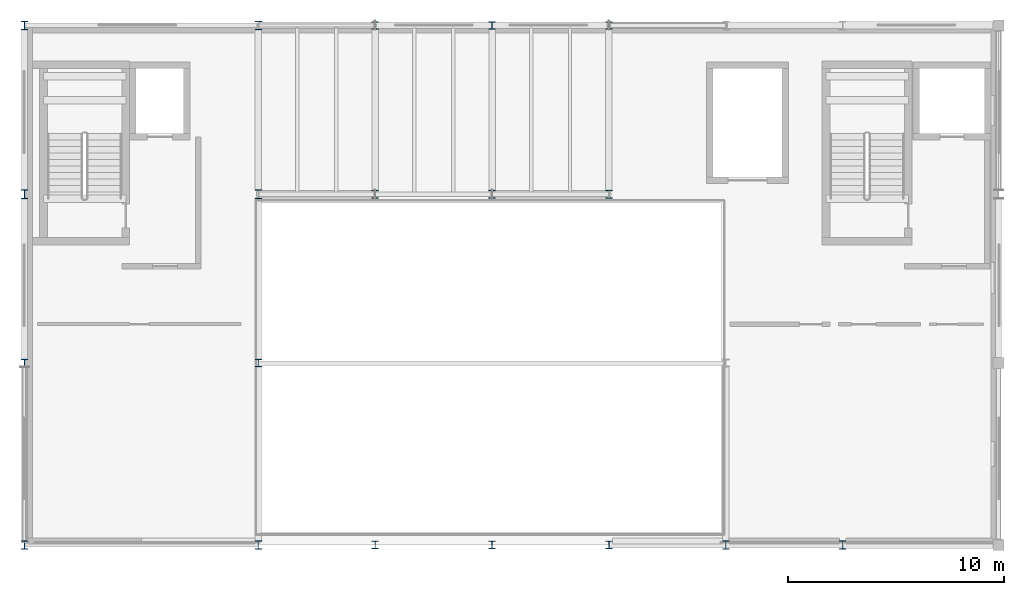
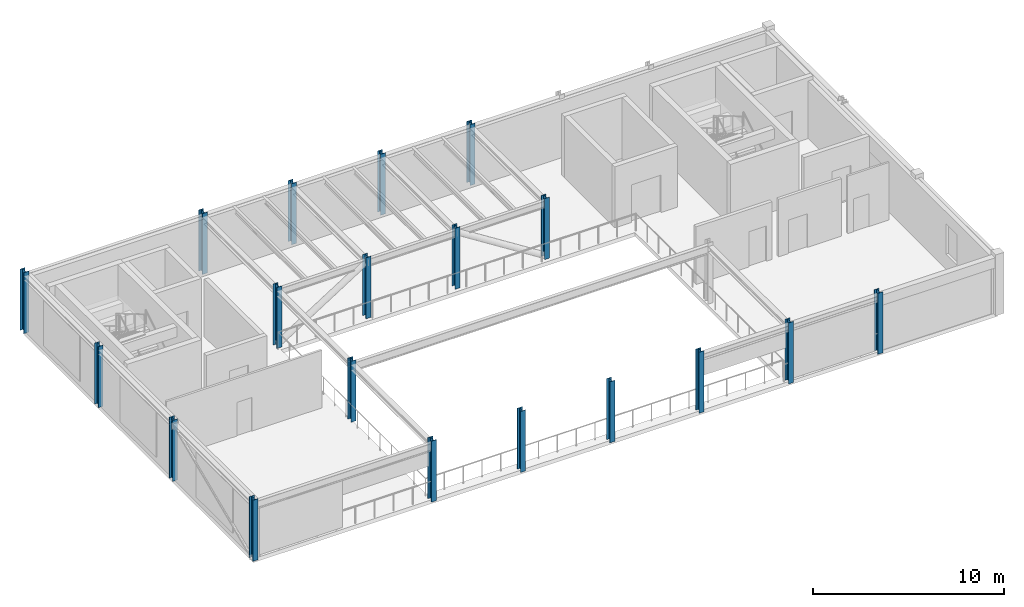
# One storey, part 1 of 12: 19 columns.
"""IFC4 building model written with IfcOpenShell, lengths in metres."""

from ifc_helpers import new_model, si_unit, direction, frame, origin, origin_2d, place, context, subcontext, project, spatial, i_section, extrude, material, material_profile, profile_set, type_object, element, save


model = new_model("IFC4")

# Units and contexts
model_context = context("Model", 3, precision=1e-05, world=origin(), true_north=direction((0.0, 1.0)))
body_context = subcontext(model_context, "Body", "Model", "MODEL_VIEW")
ifc_project = project(units=[si_unit("LENGTHUNIT", "METRE"), si_unit("AREAUNIT", "SQUARE_METRE"), si_unit("VOLUMEUNIT", "CUBIC_METRE"), si_unit("PLANEANGLEUNIT", "RADIAN"), si_unit("MASSUNIT", "GRAM", prefix="KILO")], contexts=[model_context])

# Site, building, storey
site_placement = place(None, origin())
site = spatial("IfcSite", under=ifc_project, at=site_placement, CompositionType="ELEMENT")
building_placement = place(site_placement, origin())
building = spatial("IfcBuilding", under=site, at=building_placement, Name="Tazoul Stagehouse", CompositionType="ELEMENT")
storey_placement = place(building_placement, frame((0.0, 0.0, 17.10009765625)))
storey = spatial("IfcBuildingStorey", under=building, at=storey_placement, Name="L04", CompositionType="ELEMENT", Elevation=17.10009765625)

# Columns
ifc_material = material(Name="Steel S355", Category="steel")
ifc_material_profile_1 = material_profile(ifc_material, i_section(OverallWidth=0.300048828125, OverallDepth=0.360107421875, WebThickness=0.012451171875, FlangeThickness=0.0224609375, FilletRadius=0.027099609375, at=origin_2d()), Name="HEB 360")
ifc_profile_set_1 = profile_set([ifc_material_profile_1], Name="Steel S355")
column_type_1 = type_object("IfcColumnType", Name="Steel Column HEB 360", PredefinedType="COLUMN", material=ifc_profile_set_1)
for number, where, z_axis, x_axis, name in (
    (1, (68.39990234375, 96.199951171875, 0.0), (0.0, 0.0, 1.0), (1.0, 0.0, 0.0), "L04 Column SC-03 at 10/P"),
    (2, (73.800048828125, 104.0, 0.0), (0.0, 0.0, 1.0), (1.0, 0.0, 0.0), "L04 Column SC-03 at 11/Q"),
    (3, (79.199951171875, 104.0, 0.0), (0.0, 0.0, 1.0), (1.0, 0.0, 0.0), "L04 Column SC-03 at 12/Q"),
    (4, (84.60009765625, 104.0, 0.0), (0.0, 0.0, 1.0), (1.0, 0.0, 0.0), "L04 Column SC-03 at 13/Q"),
):
    element("IfcColumn", number, at=place(storey_placement, frame(where, z_axis=z_axis, x_axis=x_axis)), inside=storey, type_object=column_type_1, Name=name, PredefinedType="COLUMN", context=body_context, shape_type="SweptSolid", body=[
        extrude(i_section(OverallWidth=0.300048828125, OverallDepth=0.360107421875, WebThickness=0.012451171875, FlangeThickness=0.0224609375, FilletRadius=0.027099609375, at=origin_2d()), origin(), (0.0, 0.0, 1.0), 3.89990234375),
    ])
ifc_material_profile_2 = material_profile(ifc_material, i_section(OverallWidth=0.300048828125, OverallDepth=0.360107421875, WebThickness=0.012451171875, FlangeThickness=0.0224609375, FilletRadius=0.027099609375, at=origin_2d()), Name="HEB 360")
ifc_profile_set_2 = profile_set([ifc_material_profile_2], Name="Steel S355")
column_type_2 = type_object("IfcColumnType", Name="Steel Column HEB 360 (Exterior)", PredefinedType="COLUMN", material=ifc_profile_set_2)
for number, where, z_axis, x_axis, name in (
    (5, (73.800048828125, 87.800048828125, 0.0), (0.0, 0.0, 1.0), (1.0, 0.0, 0.0), "L04 Column SC-03E at 11/N"),
    (6, (73.800048828125, 111.800048828125, 0.0), (0.0, 0.0, 1.0), (1.0, 0.0, 0.0), "L04 Column SC-03E at 11/R"),
    (7, (79.199951171875, 87.800048828125, 0.0), (0.0, 0.0, 1.0), (1.0, 0.0, 0.0), "L04 Column SC-03E at 12/N"),
    (8, (79.199951171875, 111.800048828125, 0.0), (0.0, 0.0, 1.0), (1.0, 0.0, 0.0), "L04 Column SC-03E at 12/R"),
    (9, (84.60009765625, 87.800048828125, 0.0), (0.0, 0.0, 1.0), (1.0, 0.0, 0.0), "L04 Column SC-03E at 13/N"),
    (10, (84.60009765625, 111.800048828125, 0.0), (0.0, 0.0, 1.0), (1.0, 0.0, 0.0), "L04 Column SC-03E at 13/R"),
    (11, (57.60009765625, 96.199951171875, 0.0), (0.0, 0.0, 1.0), (1.0, 0.0, 0.0), "L04 Column SC-03E at 8/P"),
):
    element("IfcColumn", number, at=place(storey_placement, frame(where, z_axis=z_axis, x_axis=x_axis)), inside=storey, type_object=column_type_2, Name=name, PredefinedType="COLUMN", context=body_context, shape_type="SweptSolid", body=[
        extrude(i_section(OverallWidth=0.300048828125, OverallDepth=0.360107421875, WebThickness=0.012451171875, FlangeThickness=0.0224609375, FilletRadius=0.027099609375, at=origin_2d()), origin(), (0.0, 0.0, 1.0), 3.89990234375),
    ])
ifc_material_profile_3 = material_profile(ifc_material, i_section(OverallWidth=0.300048828125, OverallDepth=0.39990234375, WebThickness=0.013427734375, FlangeThickness=0.02392578125, FilletRadius=0.027099609375, at=origin_2d()), Name="HEB 400")
ifc_profile_set_3 = profile_set([ifc_material_profile_3], Name="Steel S355")
column_type_3 = type_object("IfcColumnType", Name="Steel Column HEB 400", PredefinedType="COLUMN", material=ifc_profile_set_3)
column_placement = place(storey_placement, frame((68.39990234375, 104.0, 0.0), z_axis=(0.0, 0.0, 1.0), x_axis=(1.0, 0.0, 0.0)))
element("IfcColumn", 12, at=column_placement, inside=storey, type_object=column_type_3, Name="L04 Column SC-04 at 10/Q", PredefinedType="COLUMN", context=body_context, shape_type="SweptSolid", body=[
    extrude(i_section(OverallWidth=0.300048828125, OverallDepth=0.39990234375, WebThickness=0.013427734375, FlangeThickness=0.02392578125, FilletRadius=0.027099609375, at=origin_2d()), origin(), (0.0, 0.0, 1.0), 3.89990234375),
])
ifc_material_profile_4 = material_profile(ifc_material, i_section(OverallWidth=0.300048828125, OverallDepth=0.39990234375, WebThickness=0.013427734375, FlangeThickness=0.02392578125, FilletRadius=0.027099609375, at=origin_2d()), Name="HEB 400")
ifc_profile_set_4 = profile_set([ifc_material_profile_4], Name="Steel S355")
column_type_4 = type_object("IfcColumnType", Name="Steel Column HEB 400 (Exterior)", PredefinedType="COLUMN", material=ifc_profile_set_4)
for number, where, z_axis, x_axis, name in (
    (13, (68.39990234375, 87.800048828125, 0.0), (0.0, 0.0, 1.0), (1.0, 0.0, 0.0), "L04 Column SC-04E at 10/N"),
    (14, (68.39990234375, 111.800048828125, 0.0), (0.0, 0.0, 1.0), (1.0, 0.0, 0.0), "L04 Column SC-04E at 10/R"),
    (15, (90.0, 87.800048828125, 0.0), (0.0, 0.0, 1.0), (1.0, 0.0, 0.0), "L04 Column SC-04E at 14/N"),
    (16, (95.39990234375, 87.800048828125, 0.0), (0.0, 0.0, 1.0), (1.0, 0.0, 0.0), "L04 Column SC-04E at 15/N"),
    (17, (57.60009765625, 87.800048828125, 0.0), (0.0, 0.0, 1.0), (1.0, 0.0, 0.0), "L04 Column SC-04E at 8/N"),
    (18, (57.60009765625, 104.0, 0.0), (0.0, 0.0, 1.0), (1.0, 0.0, 0.0), "L04 Column SC-04E at 8/Q"),
    (19, (57.60009765625, 111.800048828125, 0.0), (0.0, 0.0, 1.0), (1.0, 0.0, 0.0), "L04 Column SC-04E at 8/R"),
):
    element("IfcColumn", number, at=place(storey_placement, frame(where, z_axis=z_axis, x_axis=x_axis)), inside=storey, type_object=column_type_4, Name=name, PredefinedType="COLUMN", context=body_context, shape_type="SweptSolid", body=[
        extrude(i_section(OverallWidth=0.300048828125, OverallDepth=0.39990234375, WebThickness=0.013427734375, FlangeThickness=0.02392578125, FilletRadius=0.027099609375, at=origin_2d()), origin(), (0.0, 0.0, 1.0), 3.89990234375),
    ])

save(model, "model.ifc")
